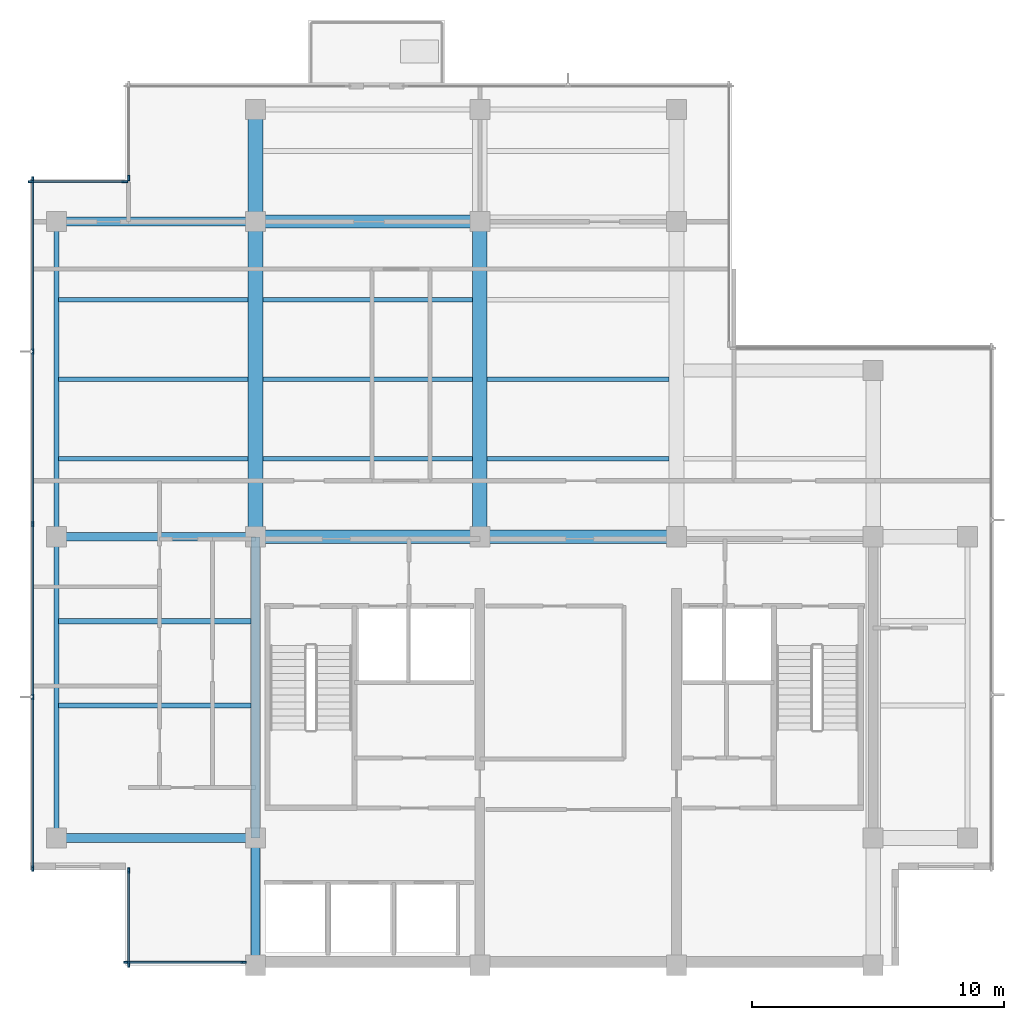
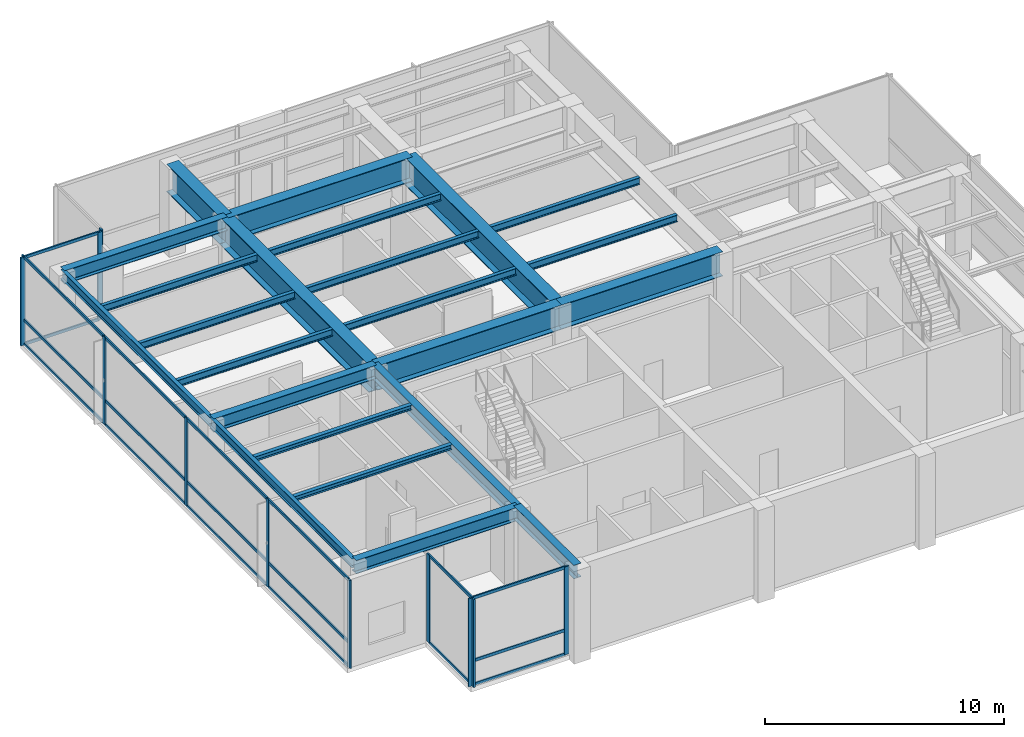
# One storey, part 2 of 11: 31 members, 23 beams, 5 elements without a shape of their own.
"""IFC4 building model written with IfcOpenShell, lengths in metres."""

from ifc_helpers import new_model, si_unit, direction, frame, origin, origin_2d, place, context, subcontext, project, spatial, rectangle, i_section, extrude, material, layer, layer_set, material_profile, profile_set, type_object, element, aggregate, save


model = new_model("IFC4")

# Units and contexts
model_context = context("Model", 3, precision=1e-05, world=origin(), true_north=direction((0.0, 1.0)))
body_context = subcontext(model_context, "Body", "Model", "MODEL_VIEW")
ifc_project = project(units=[si_unit("LENGTHUNIT", "METRE"), si_unit("AREAUNIT", "SQUARE_METRE"), si_unit("VOLUMEUNIT", "CUBIC_METRE"), si_unit("PLANEANGLEUNIT", "RADIAN"), si_unit("MASSUNIT", "GRAM", prefix="KILO")], contexts=[model_context])

# Site, building, storey
site_placement = place(None, origin())
site = spatial("IfcSite", under=ifc_project, at=site_placement, CompositionType="ELEMENT")
building_placement = place(site_placement, origin())
building = spatial("IfcBuilding", under=site, at=building_placement, Name="Qalmaran Belvedere Hotel", CompositionType="ELEMENT")
storey_placement = place(building_placement, frame((0.0, 0.0, 293.89990234375)))
storey = spatial("IfcBuildingStorey", under=building, at=storey_placement, Name="L76", CompositionType="ELEMENT", Elevation=293.89990234375)

# Beams
ifc_material_1 = material(Name="Steel S355JR", Category="steel")
ifc_material_profile_1 = material_profile(ifc_material_1, i_section(OverallWidth=0.201904296875, OverallDepth=0.2470703125, WebThickness=0.00732421875, FlangeThickness=0.010986328125, FilletRadius=0.011962890625, at=origin_2d()), Name="W250X49")
ifc_profile_set_1 = profile_set([ifc_material_profile_1], Name="Steel S355JR")
beam_type_1 = type_object("IfcBeamType", Name="BM-JST-W250X49", PredefinedType="JOIST", material=ifc_profile_set_1)
for number, where, z_axis, x_axis, name in (
    (1, (12.493896484375, 13.800048828125, 4.376708984375), (1.0, 0.0, 0.0), (0.0, 1.0, 0.0), "L76 West Wing Joist 035"),
    (2, (12.493896484375, 17.14990234375, 4.376708984375), (1.0, 0.0, 0.0), (0.0, 1.0, 0.0), "L76 West Wing Joist 037"),
):
    element("IfcBeam", number, at=place(storey_placement, frame(where, z_axis=z_axis, x_axis=x_axis)), inside=storey, type_object=beam_type_1, Name=name, PredefinedType="JOIST", context=body_context, shape_type="SweptSolid", body=[
        extrude(i_section(OverallWidth=0.201904296875, OverallDepth=0.2470703125, WebThickness=0.00732421875, FlangeThickness=0.010986328125, FilletRadius=0.011962890625, at=origin_2d()), origin(), (0.0, 0.0, 1.0), 7.630615234375),
    ])
ifc_material_profile_2 = material_profile(ifc_material_1, i_section(OverallWidth=0.172119140625, OverallDepth=0.35791015625, WebThickness=0.0078125, FlangeThickness=0.01318359375, FilletRadius=0.014892578125, at=origin_2d()), Name="W360X57")
ifc_profile_set_2 = profile_set([ifc_material_profile_2], Name="Steel S355JR")
beam_type_2 = type_object("IfcBeamType", Name="BM-SB4-W360X57", PredefinedType="BEAM", material=ifc_profile_set_2)
beam_1_placement = place(storey_placement, frame((12.493896484375, 23.60009765625, 4.321044921875), z_axis=(1.0, 0.0, 0.0), x_axis=(0.0, 1.0, 0.0)))
element("IfcBeam", 3, at=beam_1_placement, inside=storey, type_object=beam_type_2, Name="L76 West Secondary Beam 024", PredefinedType="BEAM", context=body_context, shape_type="SweptSolid", body=[
    extrude(i_section(OverallWidth=0.172119140625, OverallDepth=0.35791015625, WebThickness=0.0078125, FlangeThickness=0.01318359375, FilletRadius=0.014892578125, at=origin_2d()), origin(), (0.0, 0.0, 1.0), 7.51806640625),
])
beam_2_placement = place(storey_placement, frame((20.587890625, 23.60009765625, 4.321044921875), z_axis=(1.0, 0.0, 0.0), x_axis=(0.0, 1.0, 0.0)))
element("IfcBeam", 4, at=beam_2_placement, inside=storey, type_object=beam_type_2, Name="L76 Secondary Floor Beam 025", PredefinedType="BEAM", context=body_context, shape_type="SweptSolid", body=[
    extrude(i_section(OverallWidth=0.172119140625, OverallDepth=0.35791015625, WebThickness=0.0078125, FlangeThickness=0.01318359375, FilletRadius=0.014892578125, at=origin_2d()), origin(), (0.0, 0.0, 1.0), 8.32421875),
])
beam_3_placement = place(storey_placement, frame((29.488037109375, 23.60009765625, 4.321044921875), z_axis=(1.0, 0.0, 0.0), x_axis=(0.0, 1.0, 0.0)))
element("IfcBeam", 5, at=beam_3_placement, inside=storey, type_object=beam_type_2, Name="L76 Secondary Floor Beam 026", PredefinedType="BEAM", context=body_context, shape_type="SweptSolid", body=[
    extrude(i_section(OverallWidth=0.172119140625, OverallDepth=0.35791015625, WebThickness=0.0078125, FlangeThickness=0.01318359375, FilletRadius=0.014892578125, at=origin_2d()), origin(), (0.0, 0.0, 1.0), 7.223876953125),
])
beam_4_placement = place(storey_placement, frame((12.493896484375, 26.75, 4.321044921875), z_axis=(1.0, 0.0, 0.0), x_axis=(0.0, 1.0, 0.0)))
element("IfcBeam", 6, at=beam_4_placement, inside=storey, type_object=beam_type_2, Name="L76 West Secondary Beam 028", PredefinedType="BEAM", context=body_context, shape_type="SweptSolid", body=[
    extrude(i_section(OverallWidth=0.172119140625, OverallDepth=0.35791015625, WebThickness=0.0078125, FlangeThickness=0.01318359375, FilletRadius=0.014892578125, at=origin_2d()), origin(), (0.0, 0.0, 1.0), 7.51806640625),
])
beam_5_placement = place(storey_placement, frame((20.587890625, 26.75, 4.321044921875), z_axis=(1.0, 0.0, 0.0), x_axis=(0.0, 1.0, 0.0)))
element("IfcBeam", 7, at=beam_5_placement, inside=storey, type_object=beam_type_2, Name="L76 Secondary Floor Beam 029", PredefinedType="BEAM", context=body_context, shape_type="SweptSolid", body=[
    extrude(i_section(OverallWidth=0.172119140625, OverallDepth=0.35791015625, WebThickness=0.0078125, FlangeThickness=0.01318359375, FilletRadius=0.014892578125, at=origin_2d()), origin(), (0.0, 0.0, 1.0), 8.32421875),
])
beam_6_placement = place(storey_placement, frame((29.488037109375, 26.75, 4.321044921875), z_axis=(1.0, 0.0, 0.0), x_axis=(0.0, 1.0, 0.0)))
element("IfcBeam", 8, at=beam_6_placement, inside=storey, type_object=beam_type_2, Name="L76 Secondary Floor Beam 030", PredefinedType="BEAM", context=body_context, shape_type="SweptSolid", body=[
    extrude(i_section(OverallWidth=0.172119140625, OverallDepth=0.35791015625, WebThickness=0.0078125, FlangeThickness=0.01318359375, FilletRadius=0.014892578125, at=origin_2d()), origin(), (0.0, 0.0, 1.0), 7.223876953125),
])
beam_7_placement = place(storey_placement, frame((12.493896484375, 29.89990234375, 4.321044921875), z_axis=(1.0, 0.0, 0.0), x_axis=(0.0, 1.0, 0.0)))
element("IfcBeam", 9, at=beam_7_placement, inside=storey, type_object=beam_type_2, Name="L76 West Secondary Beam 032", PredefinedType="BEAM", context=body_context, shape_type="SweptSolid", body=[
    extrude(i_section(OverallWidth=0.172119140625, OverallDepth=0.35791015625, WebThickness=0.0078125, FlangeThickness=0.01318359375, FilletRadius=0.014892578125, at=origin_2d()), origin(), (0.0, 0.0, 1.0), 7.51806640625),
])
beam_8_placement = place(storey_placement, frame((20.587890625, 29.89990234375, 4.321044921875), z_axis=(1.0, 0.0, 0.0), x_axis=(0.0, 1.0, 0.0)))
element("IfcBeam", 10, at=beam_8_placement, inside=storey, type_object=beam_type_2, Name="L76 Secondary Floor Beam 033", PredefinedType="BEAM", context=body_context, shape_type="SweptSolid", body=[
    extrude(i_section(OverallWidth=0.172119140625, OverallDepth=0.35791015625, WebThickness=0.0078125, FlangeThickness=0.01318359375, FilletRadius=0.014892578125, at=origin_2d()), origin(), (0.0, 0.0, 1.0), 8.32421875),
])
ifc_material_profile_3 = material_profile(ifc_material_1, i_section(OverallWidth=0.19189453125, OverallDepth=0.462890625, WebThickness=0.010498046875, FlangeThickness=0.017578125, FilletRadius=0.01611328125, at=origin_2d()), Name="W460X89")
ifc_profile_set_3 = profile_set([ifc_material_profile_3], Name="Steel S355JR")
beam_type_3 = type_object("IfcBeamType", Name="BM-SP2-W460X89", PredefinedType="SPANDREL", material=ifc_profile_set_3)
beam_9_placement = place(storey_placement, frame((12.39990234375, 8.550048828125, 4.2685546875), z_axis=(0.0, 1.0, 0.0), x_axis=(-1.0, 0.0, 0.0)))
element("IfcBeam", 11, at=beam_9_placement, inside=storey, type_object=beam_type_3, Name="L76 Perimeter Spandrel 01", PredefinedType="SPANDREL", context=body_context, shape_type="SweptSolid", body=[
    extrude(i_section(OverallWidth=0.19189453125, OverallDepth=0.462890625, WebThickness=0.010498046875, FlangeThickness=0.017578125, FilletRadius=0.01611328125, at=origin_2d()), origin(), (0.0, 0.0, 1.0), 11.949951171875),
])
beam_10_placement = place(storey_placement, frame((12.39990234375, 20.5, 4.2685546875), z_axis=(0.0, 1.0, 0.0), x_axis=(-1.0, 0.0, 0.0)))
element("IfcBeam", 12, at=beam_10_placement, inside=storey, type_object=beam_type_3, Name="L76 Perimeter Spandrel 02", PredefinedType="SPANDREL", context=body_context, shape_type="SweptSolid", body=[
    extrude(i_section(OverallWidth=0.19189453125, OverallDepth=0.462890625, WebThickness=0.010498046875, FlangeThickness=0.017578125, FilletRadius=0.01611328125, at=origin_2d()), origin(), (0.0, 0.0, 1.0), 12.5),
])
ifc_material_profile_4 = material_profile(ifc_material_1, i_section(OverallWidth=0.580078125, OverallDepth=1.419921875, WebThickness=0.02490234375, FlangeThickness=0.034912109375, at=origin_2d()), Name="PG1420X580X35")
ifc_profile_set_4 = profile_set([ifc_material_profile_4], Name="Steel S355JR")
beam_type_4 = type_object("IfcBeamType", Name="BM-TG6-PG1420X580", PredefinedType="USERDEFINED", material=ifc_profile_set_4)
beam_11_placement = place(storey_placement, frame((20.300048828125, 20.5, 3.7900390625), z_axis=(0.0, 1.0, 0.0), x_axis=(-1.0, 0.0, 0.0)))
element("IfcBeam", 13, at=beam_11_placement, inside=storey, type_object=beam_type_4, Name="L76 Mid-Plate N-S Girder 11", ObjectType="GIRDER", PredefinedType="USERDEFINED", context=body_context, shape_type="SweptSolid", body=[
    extrude(i_section(OverallWidth=0.580078125, OverallDepth=1.419921875, WebThickness=0.02490234375, FlangeThickness=0.034912109375, at=origin_2d()), origin(), (0.0, 0.0, 1.0), 12.5),
])
beam_12_placement = place(storey_placement, frame((20.300048828125, 33.0, 3.7900390625), z_axis=(0.0, 1.0, 0.0), x_axis=(-1.0, 0.0, 0.0)))
element("IfcBeam", 14, at=beam_12_placement, inside=storey, type_object=beam_type_4, Name="L76 North Bay Girder 12", ObjectType="GIRDER", PredefinedType="USERDEFINED", context=body_context, shape_type="SweptSolid", body=[
    extrude(i_section(OverallWidth=0.580078125, OverallDepth=1.419921875, WebThickness=0.02490234375, FlangeThickness=0.034912109375, at=origin_2d()), origin(), (0.0, 0.0, 1.0), 4.449951171875),
])
beam_13_placement = place(storey_placement, frame((29.199951171875, 20.5, 3.7900390625), z_axis=(0.0, 1.0, 0.0), x_axis=(-1.0, 0.0, 0.0)))
element("IfcBeam", 15, at=beam_13_placement, inside=storey, type_object=beam_type_4, Name="L76 Mid-Plate N-S Girder 13", ObjectType="GIRDER", PredefinedType="USERDEFINED", context=body_context, shape_type="SweptSolid", body=[
    extrude(i_section(OverallWidth=0.580078125, OverallDepth=1.419921875, WebThickness=0.02490234375, FlangeThickness=0.034912109375, at=origin_2d()), origin(), (0.0, 0.0, 1.0), 12.5),
])
ifc_material_profile_5 = material_profile(ifc_material_1, i_section(OverallWidth=0.52001953125, OverallDepth=1.25, WebThickness=0.02197265625, FlangeThickness=0.031982421875, at=origin_2d()), Name="PG1250X520X32")
ifc_profile_set_5 = profile_set([ifc_material_profile_5], Name="Steel S355JR")
beam_type_5 = type_object("IfcBeamType", Name="BM-TG7-PG1250X520", PredefinedType="USERDEFINED", material=ifc_profile_set_5)
beam_14_placement = place(storey_placement, frame((20.300048828125, 20.5, 3.875), z_axis=(1.0, 0.0, 0.0), x_axis=(0.0, 1.0, 0.0)))
element("IfcBeam", 16, at=beam_14_placement, inside=storey, type_object=beam_type_5, Name="L76 Interior E-W Girder 06", ObjectType="GIRDER", PredefinedType="USERDEFINED", context=body_context, shape_type="SweptSolid", body=[
    extrude(i_section(OverallWidth=0.52001953125, OverallDepth=1.25, WebThickness=0.02197265625, FlangeThickness=0.031982421875, at=origin_2d()), origin(), (0.0, 0.0, 1.0), 8.89990234375),
])
beam_15_placement = place(storey_placement, frame((29.199951171875, 20.5, 3.875), z_axis=(1.0, 0.0, 0.0), x_axis=(0.0, 1.0, 0.0)))
element("IfcBeam", 17, at=beam_15_placement, inside=storey, type_object=beam_type_5, Name="L76 Interior E-W Girder 07", ObjectType="GIRDER", PredefinedType="USERDEFINED", context=body_context, shape_type="SweptSolid", body=[
    extrude(i_section(OverallWidth=0.52001953125, OverallDepth=1.25, WebThickness=0.02197265625, FlangeThickness=0.031982421875, at=origin_2d()), origin(), (0.0, 0.0, 1.0), 7.800048828125),
])
beam_16_placement = place(storey_placement, frame((20.300048828125, 33.0, 3.875), z_axis=(1.0, 0.0, 0.0), x_axis=(0.0, 1.0, 0.0)))
element("IfcBeam", 18, at=beam_16_placement, inside=storey, type_object=beam_type_5, Name="L76 Interior E-W Girder 09", ObjectType="GIRDER", PredefinedType="USERDEFINED", context=body_context, shape_type="SweptSolid", body=[
    extrude(i_section(OverallWidth=0.52001953125, OverallDepth=1.25, WebThickness=0.02197265625, FlangeThickness=0.031982421875, at=origin_2d()), origin(), (0.0, 0.0, 1.0), 8.89990234375),
])
ifc_material_profile_6 = material_profile(ifc_material_1, i_section(OverallWidth=0.35498046875, OverallDepth=0.695068359375, WebThickness=0.015380859375, FlangeThickness=0.02490234375, FilletRadius=0.02197265625, at=origin_2d()), Name="W690X217")
ifc_profile_set_6 = profile_set([ifc_material_profile_6], Name="Steel S355JR")
beam_type_6 = type_object("IfcBeamType", Name="BM-Z1-W690X217", PredefinedType="USERDEFINED", material=ifc_profile_set_6)
for number, where, z_axis, x_axis, name in (
    (19, (12.39990234375, 8.550048828125, 4.152587890625), (1.0, 0.0, 0.0), (0.0, 1.0, 0.0), "L76 West Wing Girder 19"),
    (20, (12.39990234375, 20.5, 4.152587890625), (1.0, 0.0, 0.0), (0.0, 1.0, 0.0), "L76 West Wing Girder 20"),
    (21, (12.39990234375, 33.0, 4.152587890625), (1.0, 0.0, 0.0), (0.0, 1.0, 0.0), "L76 West Wing Girder 21"),
):
    element("IfcBeam", number, at=place(storey_placement, frame(where, z_axis=z_axis, x_axis=x_axis)), inside=storey, type_object=beam_type_6, Name=name, ObjectType="GIRDER", PredefinedType="USERDEFINED", context=body_context, shape_type="SweptSolid", body=[
        extrude(i_section(OverallWidth=0.35498046875, OverallDepth=0.695068359375, WebThickness=0.015380859375, FlangeThickness=0.02490234375, FilletRadius=0.02197265625, at=origin_2d()), origin(), (0.0, 0.0, 1.0), 7.900146484375),
    ])
beam_17_placement = place(storey_placement, frame((20.300048828125, 3.5, 4.152587890625), z_axis=(0.0, 1.0, 0.0), x_axis=(-1.0, 0.0, 0.0)))
element("IfcBeam", 22, at=beam_17_placement, inside=storey, type_object=beam_type_6, Name="L76 West Core Edge Girder A", ObjectType="GIRDER", PredefinedType="USERDEFINED", context=body_context, shape_type="SweptSolid", body=[
    extrude(i_section(OverallWidth=0.35498046875, OverallDepth=0.695068359375, WebThickness=0.015380859375, FlangeThickness=0.02490234375, FilletRadius=0.02197265625, at=origin_2d()), origin(), (0.0, 0.0, 1.0), 5.050048828125),
])
beam_18_placement = place(storey_placement, frame((20.300048828125, 8.550048828125, 4.152587890625), z_axis=(0.0, 1.0, 0.0), x_axis=(-1.0, 0.0, 0.0)))
element("IfcBeam", 23, at=beam_18_placement, inside=storey, type_object=beam_type_6, Name="L76 West Core Edge Girder B", ObjectType="GIRDER", PredefinedType="USERDEFINED", context=body_context, shape_type="SweptSolid", body=[
    extrude(i_section(OverallWidth=0.35498046875, OverallDepth=0.695068359375, WebThickness=0.015380859375, FlangeThickness=0.02490234375, FilletRadius=0.02197265625, at=origin_2d()), origin(), (0.0, 0.0, 1.0), 11.949951171875),
])

# Curtain wall, members
ifc_material_2 = material(Name="Anodised Bronze Aluminium", Category="aluminium")
ifc_layer = layer(ifc_material_2, 0.205078125, Name="Anodised Bronze Aluminium")
ifc_layer_set = layer_set([ifc_layer], Name="Anodised Bronze Aluminium")
curtain_wall_type = type_object("IfcCurtainWallType", Name="CW7-CROWN-BELVEDERE", PredefinedType="NOTDEFINED", material=ifc_layer_set)
curtain_wall_1_placement = place(storey_placement, origin())
curtain_wall_1 = element("IfcCurtainWall", 24, at=curtain_wall_1_placement, inside=storey, type_object=curtain_wall_type, Name="L76 Curtain Wall CW7", PredefinedType="NOTDEFINED")
ifc_material_profile_7 = material_profile(ifc_material_2, rectangle(XDim=0.074951171875, YDim=0.219970703125, at=origin_2d()), Name="CWM75X220")
ifc_profile_set_7 = profile_set([ifc_material_profile_7], Name="Anodised Bronze Aluminium")
member_type_1 = type_object("IfcMemberType", Name="CWM-75X220", PredefinedType="MULLION", material=ifc_profile_set_7)
member_1_placement = place(storey_placement, frame((15.1875, 3.6201171875, 0.0), z_axis=(0.0, 0.0, 1.0), x_axis=(0.0, 1.0, 0.0)))
member_1 = element("IfcMember", 25, at=member_1_placement, type_object=member_type_1, Name="CW7 mullion 1", PredefinedType="MULLION", context=body_context, shape_type="SweptSolid", body=[
    extrude(rectangle(XDim=0.074951171875, YDim=0.219970703125, at=origin_2d()), origin(), (0.0, 0.0, 1.0), 4.5),
])
member_2_placement = place(storey_placement, frame((19.822509765625, 3.6201171875, 0.0), z_axis=(0.0, 0.0, 1.0), x_axis=(0.0, 1.0, 0.0)))
member_2 = element("IfcMember", 26, at=member_2_placement, type_object=member_type_1, Name="CW7 mullion 2", PredefinedType="MULLION", context=body_context, shape_type="SweptSolid", body=[
    extrude(rectangle(XDim=0.074951171875, YDim=0.219970703125, at=origin_2d()), origin(), (0.0, 0.0, 1.0), 4.5),
])

# Curtain wall, member
curtain_wall_2_placement = place(storey_placement, origin())
curtain_wall_2 = element("IfcCurtainWall", 27, at=curtain_wall_2_placement, inside=storey, type_object=curtain_wall_type, Name="L76 Curtain Wall CW7", PredefinedType="NOTDEFINED")
member_3_placement = place(storey_placement, frame((15.27001953125, 34.737548828125, 0.0), z_axis=(0.0, 0.0, 1.0), x_axis=(1.0, 0.0, 0.0)))
member_3 = element("IfcMember", 28, at=member_3_placement, type_object=member_type_1, Name="CW7 mullion 2", PredefinedType="MULLION", context=body_context, shape_type="SweptSolid", body=[
    extrude(rectangle(XDim=0.074951171875, YDim=0.219970703125, at=origin_2d()), origin(), (0.0, 0.0, 1.0), 4.5),
])
aggregate(curtain_wall_2, [member_3])

# Curtain wall, members
curtain_wall_3_placement = place(storey_placement, origin())
curtain_wall_3 = element("IfcCurtainWall", 29, at=curtain_wall_3_placement, inside=storey, type_object=curtain_wall_type, Name="L76 Curtain Wall CW7", PredefinedType="NOTDEFINED")
member_4_placement = place(storey_placement, frame((15.112548828125, 34.580078125, 0.0), z_axis=(0.0, 0.0, 1.0), x_axis=(0.0, -1.0, 0.0)))
member_4 = element("IfcMember", 30, at=member_4_placement, type_object=member_type_1, Name="CW7 mullion 1", PredefinedType="MULLION", context=body_context, shape_type="SweptSolid", body=[
    extrude(rectangle(XDim=0.074951171875, YDim=0.219970703125, at=origin_2d()), origin(), (0.0, 0.0, 1.0), 4.5),
])
member_5_placement = place(storey_placement, frame((11.387451171875, 34.580078125, 0.0), z_axis=(0.0, 0.0, 1.0), x_axis=(0.0, -1.0, 0.0)))
member_5 = element("IfcMember", 31, at=member_5_placement, type_object=member_type_1, Name="CW7 mullion 2", PredefinedType="MULLION", context=body_context, shape_type="SweptSolid", body=[
    extrude(rectangle(XDim=0.074951171875, YDim=0.219970703125, at=origin_2d()), origin(), (0.0, 0.0, 1.0), 4.5),
])

curtain_wall_4_placement = place(storey_placement, origin())
curtain_wall_4 = element("IfcCurtainWall", 32, at=curtain_wall_4_placement, inside=storey, type_object=curtain_wall_type, Name="L76 Curtain Wall CW7", PredefinedType="NOTDEFINED")
member_6_placement = place(storey_placement, frame((11.469970703125, 34.66259765625, 0.0), z_axis=(0.0, 0.0, 1.0), x_axis=(1.0, 0.0, 0.0)))
member_6 = element("IfcMember", 33, at=member_6_placement, type_object=member_type_1, Name="CW7 mullion 1", PredefinedType="MULLION", context=body_context, shape_type="SweptSolid", body=[
    extrude(rectangle(XDim=0.074951171875, YDim=0.219970703125, at=origin_2d()), origin(), (0.0, 0.0, 1.0), 4.5),
])
member_7_placement = place(storey_placement, frame((11.469970703125, 27.85009765625, 0.0), z_axis=(0.0, 0.0, 1.0), x_axis=(1.0, 0.0, 0.0)))
member_7 = element("IfcMember", 34, at=member_7_placement, type_object=member_type_1, Name="CW7 mullion 2", PredefinedType="MULLION", context=body_context, shape_type="SweptSolid", body=[
    extrude(rectangle(XDim=0.074951171875, YDim=0.219970703125, at=origin_2d()), origin(), (0.0, 0.0, 1.0), 4.5),
])
member_8_placement = place(storey_placement, frame((11.469970703125, 21.0, 0.0), z_axis=(0.0, 0.0, 1.0), x_axis=(1.0, 0.0, 0.0)))
member_8 = element("IfcMember", 35, at=member_8_placement, type_object=member_type_1, Name="CW7 mullion 3", PredefinedType="MULLION", context=body_context, shape_type="SweptSolid", body=[
    extrude(rectangle(XDim=0.074951171875, YDim=0.219970703125, at=origin_2d()), origin(), (0.0, 0.0, 1.0), 4.5),
])
member_9_placement = place(storey_placement, frame((11.469970703125, 14.14990234375, 0.0), z_axis=(0.0, 0.0, 1.0), x_axis=(1.0, 0.0, 0.0)))
member_9 = element("IfcMember", 36, at=member_9_placement, type_object=member_type_1, Name="CW7 mullion 4", PredefinedType="MULLION", context=body_context, shape_type="SweptSolid", body=[
    extrude(rectangle(XDim=0.074951171875, YDim=0.219970703125, at=origin_2d()), origin(), (0.0, 0.0, 1.0), 4.5),
])
member_10_placement = place(storey_placement, frame((11.469970703125, 7.33740234375, 0.0), z_axis=(0.0, 0.0, 1.0), x_axis=(1.0, 0.0, 0.0)))
member_10 = element("IfcMember", 37, at=member_10_placement, type_object=member_type_1, Name="CW7 mullion 5", PredefinedType="MULLION", context=body_context, shape_type="SweptSolid", body=[
    extrude(rectangle(XDim=0.074951171875, YDim=0.219970703125, at=origin_2d()), origin(), (0.0, 0.0, 1.0), 4.5),
])

curtain_wall_5_placement = place(storey_placement, origin())
curtain_wall_5 = element("IfcCurtainWall", 38, at=curtain_wall_5_placement, inside=storey, type_object=curtain_wall_type, Name="L76 Curtain Wall CW7", PredefinedType="NOTDEFINED")
member_11_placement = place(storey_placement, frame((15.27001953125, 7.262451171875, 0.0), z_axis=(0.0, 0.0, 1.0), x_axis=(1.0, 0.0, 0.0)))
member_11 = element("IfcMember", 39, at=member_11_placement, type_object=member_type_1, Name="CW7 mullion 1", PredefinedType="MULLION", context=body_context, shape_type="SweptSolid", body=[
    extrude(rectangle(XDim=0.074951171875, YDim=0.219970703125, at=origin_2d()), origin(), (0.0, 0.0, 1.0), 4.5),
])
member_12_placement = place(storey_placement, frame((15.27001953125, 3.53759765625, 0.0), z_axis=(0.0, 0.0, 1.0), x_axis=(1.0, 0.0, 0.0)))
member_12 = element("IfcMember", 40, at=member_12_placement, type_object=member_type_1, Name="CW7 mullion 2", PredefinedType="MULLION", context=body_context, shape_type="SweptSolid", body=[
    extrude(rectangle(XDim=0.074951171875, YDim=0.219970703125, at=origin_2d()), origin(), (0.0, 0.0, 1.0), 4.5),
])

# Member
ifc_material_profile_8 = material_profile(ifc_material_2, rectangle(XDim=0.070068359375, YDim=0.14990234375, at=origin_2d()), Name="CWT70X150")
ifc_profile_set_8 = profile_set([ifc_material_profile_8], Name="Anodised Bronze Aluminium")
member_type_2 = type_object("IfcMemberType", Name="CWT-70X150", PredefinedType="USERDEFINED", material=ifc_profile_set_8)
member_13_placement = place(storey_placement, frame((15.22509765625, 3.6201171875, 0.03515625), z_axis=(1.0, 0.0, 0.0), x_axis=(0.0, 1.0, 0.0)))
member_13 = element("IfcMember", 41, at=member_13_placement, type_object=member_type_2, Name="CW7 transom 1.1", ObjectType="TRANSOM", PredefinedType="USERDEFINED", context=body_context, shape_type="SweptSolid", body=[
    extrude(rectangle(XDim=0.070068359375, YDim=0.14990234375, at=origin_2d()), origin(), (0.0, 0.0, 1.0), 4.559814453125),
])

member_14_placement = place(storey_placement, frame((15.22509765625, 3.6201171875, 1.260009765625), z_axis=(1.0, 0.0, 0.0), x_axis=(0.0, 1.0, 0.0)))
member_14 = element("IfcMember", 42, at=member_14_placement, type_object=member_type_2, Name="CW7 transom 1.2", ObjectType="TRANSOM", PredefinedType="USERDEFINED", context=body_context, shape_type="SweptSolid", body=[
    extrude(rectangle(XDim=0.070068359375, YDim=0.14990234375, at=origin_2d()), origin(), (0.0, 0.0, 1.0), 4.559814453125),
])

member_15_placement = place(storey_placement, frame((15.22509765625, 3.6201171875, 4.465087890625), z_axis=(1.0, 0.0, 0.0), x_axis=(0.0, 1.0, 0.0)))
member_15 = element("IfcMember", 43, at=member_15_placement, type_object=member_type_2, Name="CW7 transom 1.3", ObjectType="TRANSOM", PredefinedType="USERDEFINED", context=body_context, shape_type="SweptSolid", body=[
    extrude(rectangle(XDim=0.070068359375, YDim=0.14990234375, at=origin_2d()), origin(), (0.0, 0.0, 1.0), 4.559814453125),
])

aggregate(curtain_wall_1, [member_1, member_2, member_13, member_14, member_15])

member_16_placement = place(storey_placement, frame((15.074951171875, 34.580078125, 0.03515625), z_axis=(-1.0, 0.0, 0.0), x_axis=(0.0, -1.0, 0.0)))
member_16 = element("IfcMember", 44, at=member_16_placement, type_object=member_type_2, Name="CW7 transom 1.1", ObjectType="TRANSOM", PredefinedType="USERDEFINED", context=body_context, shape_type="SweptSolid", body=[
    extrude(rectangle(XDim=0.070068359375, YDim=0.14990234375, at=origin_2d()), origin(), (0.0, 0.0, 1.0), 3.64990234375),
])

member_17_placement = place(storey_placement, frame((15.074951171875, 34.580078125, 4.465087890625), z_axis=(-1.0, 0.0, 0.0), x_axis=(0.0, -1.0, 0.0)))
member_17 = element("IfcMember", 45, at=member_17_placement, type_object=member_type_2, Name="CW7 transom 1.2", ObjectType="TRANSOM", PredefinedType="USERDEFINED", context=body_context, shape_type="SweptSolid", body=[
    extrude(rectangle(XDim=0.070068359375, YDim=0.14990234375, at=origin_2d()), origin(), (0.0, 0.0, 1.0), 3.64990234375),
])

aggregate(curtain_wall_3, [member_4, member_5, member_16, member_17])

member_18_placement = place(storey_placement, frame((11.469970703125, 34.625, 0.03515625), z_axis=(0.0, -1.0, 0.0), x_axis=(1.0, 0.0, 0.0)))
member_18 = element("IfcMember", 46, at=member_18_placement, type_object=member_type_2, Name="CW7 transom 1.1", ObjectType="TRANSOM", PredefinedType="USERDEFINED", context=body_context, shape_type="SweptSolid", body=[
    extrude(rectangle(XDim=0.070068359375, YDim=0.14990234375, at=origin_2d()), origin(), (0.0, 0.0, 1.0), 6.737548828125),
])

member_19_placement = place(storey_placement, frame((11.469970703125, 34.625, 1.260009765625), z_axis=(0.0, -1.0, 0.0), x_axis=(1.0, 0.0, 0.0)))
member_19 = element("IfcMember", 47, at=member_19_placement, type_object=member_type_2, Name="CW7 transom 1.2", ObjectType="TRANSOM", PredefinedType="USERDEFINED", context=body_context, shape_type="SweptSolid", body=[
    extrude(rectangle(XDim=0.070068359375, YDim=0.14990234375, at=origin_2d()), origin(), (0.0, 0.0, 1.0), 6.737548828125),
])

member_20_placement = place(storey_placement, frame((11.469970703125, 34.625, 4.465087890625), z_axis=(0.0, -1.0, 0.0), x_axis=(1.0, 0.0, 0.0)))
member_20 = element("IfcMember", 48, at=member_20_placement, type_object=member_type_2, Name="CW7 transom 1.3", ObjectType="TRANSOM", PredefinedType="USERDEFINED", context=body_context, shape_type="SweptSolid", body=[
    extrude(rectangle(XDim=0.070068359375, YDim=0.14990234375, at=origin_2d()), origin(), (0.0, 0.0, 1.0), 6.737548828125),
])

member_21_placement = place(storey_placement, frame((11.469970703125, 27.8125, 0.03515625), z_axis=(0.0, -1.0, 0.0), x_axis=(1.0, 0.0, 0.0)))
member_21 = element("IfcMember", 49, at=member_21_placement, type_object=member_type_2, Name="CW7 transom 2.1", ObjectType="TRANSOM", PredefinedType="USERDEFINED", context=body_context, shape_type="SweptSolid", body=[
    extrude(rectangle(XDim=0.070068359375, YDim=0.14990234375, at=origin_2d()), origin(), (0.0, 0.0, 1.0), 6.77490234375),
])

member_22_placement = place(storey_placement, frame((11.469970703125, 27.8125, 1.260009765625), z_axis=(0.0, -1.0, 0.0), x_axis=(1.0, 0.0, 0.0)))
member_22 = element("IfcMember", 50, at=member_22_placement, type_object=member_type_2, Name="CW7 transom 2.2", ObjectType="TRANSOM", PredefinedType="USERDEFINED", context=body_context, shape_type="SweptSolid", body=[
    extrude(rectangle(XDim=0.070068359375, YDim=0.14990234375, at=origin_2d()), origin(), (0.0, 0.0, 1.0), 6.77490234375),
])

member_23_placement = place(storey_placement, frame((11.469970703125, 27.8125, 4.465087890625), z_axis=(0.0, -1.0, 0.0), x_axis=(1.0, 0.0, 0.0)))
member_23 = element("IfcMember", 51, at=member_23_placement, type_object=member_type_2, Name="CW7 transom 2.3", ObjectType="TRANSOM", PredefinedType="USERDEFINED", context=body_context, shape_type="SweptSolid", body=[
    extrude(rectangle(XDim=0.070068359375, YDim=0.14990234375, at=origin_2d()), origin(), (0.0, 0.0, 1.0), 6.77490234375),
])

member_24_placement = place(storey_placement, frame((11.469970703125, 20.96240234375, 0.03515625), z_axis=(0.0, -1.0, 0.0), x_axis=(1.0, 0.0, 0.0)))
member_24 = element("IfcMember", 52, at=member_24_placement, type_object=member_type_2, Name="CW7 transom 3.1", ObjectType="TRANSOM", PredefinedType="USERDEFINED", context=body_context, shape_type="SweptSolid", body=[
    extrude(rectangle(XDim=0.070068359375, YDim=0.14990234375, at=origin_2d()), origin(), (0.0, 0.0, 1.0), 6.77490234375),
])

member_25_placement = place(storey_placement, frame((11.469970703125, 20.96240234375, 1.260009765625), z_axis=(0.0, -1.0, 0.0), x_axis=(1.0, 0.0, 0.0)))
member_25 = element("IfcMember", 53, at=member_25_placement, type_object=member_type_2, Name="CW7 transom 3.2", ObjectType="TRANSOM", PredefinedType="USERDEFINED", context=body_context, shape_type="SweptSolid", body=[
    extrude(rectangle(XDim=0.070068359375, YDim=0.14990234375, at=origin_2d()), origin(), (0.0, 0.0, 1.0), 6.77490234375),
])

member_26_placement = place(storey_placement, frame((11.469970703125, 20.96240234375, 4.465087890625), z_axis=(0.0, -1.0, 0.0), x_axis=(1.0, 0.0, 0.0)))
member_26 = element("IfcMember", 54, at=member_26_placement, type_object=member_type_2, Name="CW7 transom 3.3", ObjectType="TRANSOM", PredefinedType="USERDEFINED", context=body_context, shape_type="SweptSolid", body=[
    extrude(rectangle(XDim=0.070068359375, YDim=0.14990234375, at=origin_2d()), origin(), (0.0, 0.0, 1.0), 6.77490234375),
])

member_27_placement = place(storey_placement, frame((11.469970703125, 14.112548828125, 0.03515625), z_axis=(0.0, -1.0, 0.0), x_axis=(1.0, 0.0, 0.0)))
member_27 = element("IfcMember", 55, at=member_27_placement, type_object=member_type_2, Name="CW7 transom 4.1", ObjectType="TRANSOM", PredefinedType="USERDEFINED", context=body_context, shape_type="SweptSolid", body=[
    extrude(rectangle(XDim=0.070068359375, YDim=0.14990234375, at=origin_2d()), origin(), (0.0, 0.0, 1.0), 6.737548828125),
])

member_28_placement = place(storey_placement, frame((11.469970703125, 14.112548828125, 1.260009765625), z_axis=(0.0, -1.0, 0.0), x_axis=(1.0, 0.0, 0.0)))
member_28 = element("IfcMember", 56, at=member_28_placement, type_object=member_type_2, Name="CW7 transom 4.2", ObjectType="TRANSOM", PredefinedType="USERDEFINED", context=body_context, shape_type="SweptSolid", body=[
    extrude(rectangle(XDim=0.070068359375, YDim=0.14990234375, at=origin_2d()), origin(), (0.0, 0.0, 1.0), 6.737548828125),
])

member_29_placement = place(storey_placement, frame((11.469970703125, 14.112548828125, 4.465087890625), z_axis=(0.0, -1.0, 0.0), x_axis=(1.0, 0.0, 0.0)))
member_29 = element("IfcMember", 57, at=member_29_placement, type_object=member_type_2, Name="CW7 transom 4.3", ObjectType="TRANSOM", PredefinedType="USERDEFINED", context=body_context, shape_type="SweptSolid", body=[
    extrude(rectangle(XDim=0.070068359375, YDim=0.14990234375, at=origin_2d()), origin(), (0.0, 0.0, 1.0), 6.737548828125),
])

aggregate(curtain_wall_4, [member_6, member_7, member_8, member_9, member_10, member_18, member_19, member_20, member_21, member_22, member_23, member_24, member_25, member_26, member_27, member_28, member_29])

member_30_placement = place(storey_placement, frame((15.27001953125, 7.22509765625, 0.03515625), z_axis=(0.0, -1.0, 0.0), x_axis=(1.0, 0.0, 0.0)))
member_30 = element("IfcMember", 58, at=member_30_placement, type_object=member_type_2, Name="CW7 transom 1.1", ObjectType="TRANSOM", PredefinedType="USERDEFINED", context=body_context, shape_type="SweptSolid", body=[
    extrude(rectangle(XDim=0.070068359375, YDim=0.14990234375, at=origin_2d()), origin(), (0.0, 0.0, 1.0), 3.650146484375),
])

member_31_placement = place(storey_placement, frame((15.27001953125, 7.22509765625, 4.465087890625), z_axis=(0.0, -1.0, 0.0), x_axis=(1.0, 0.0, 0.0)))
member_31 = element("IfcMember", 59, at=member_31_placement, type_object=member_type_2, Name="CW7 transom 1.2", ObjectType="TRANSOM", PredefinedType="USERDEFINED", context=body_context, shape_type="SweptSolid", body=[
    extrude(rectangle(XDim=0.070068359375, YDim=0.14990234375, at=origin_2d()), origin(), (0.0, 0.0, 1.0), 3.650146484375),
])

aggregate(curtain_wall_5, [member_11, member_12, member_30, member_31])

save(model, "model.ifc")
